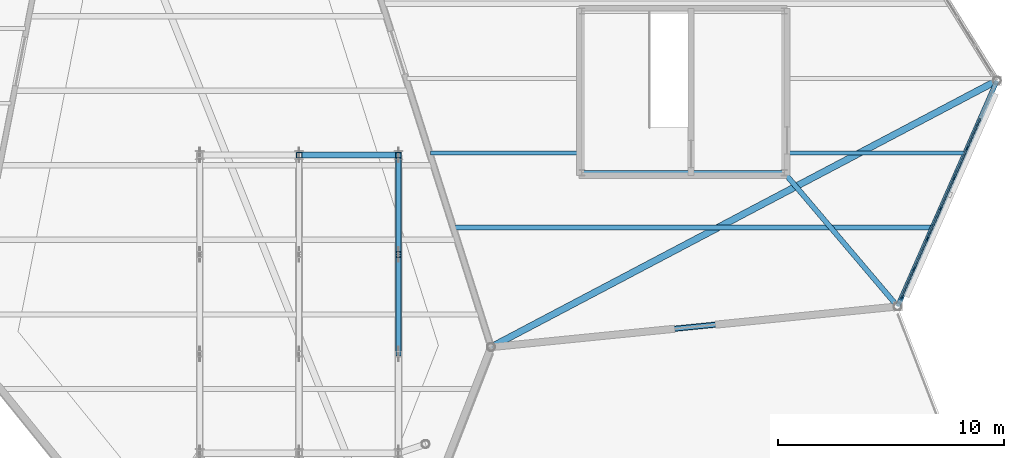
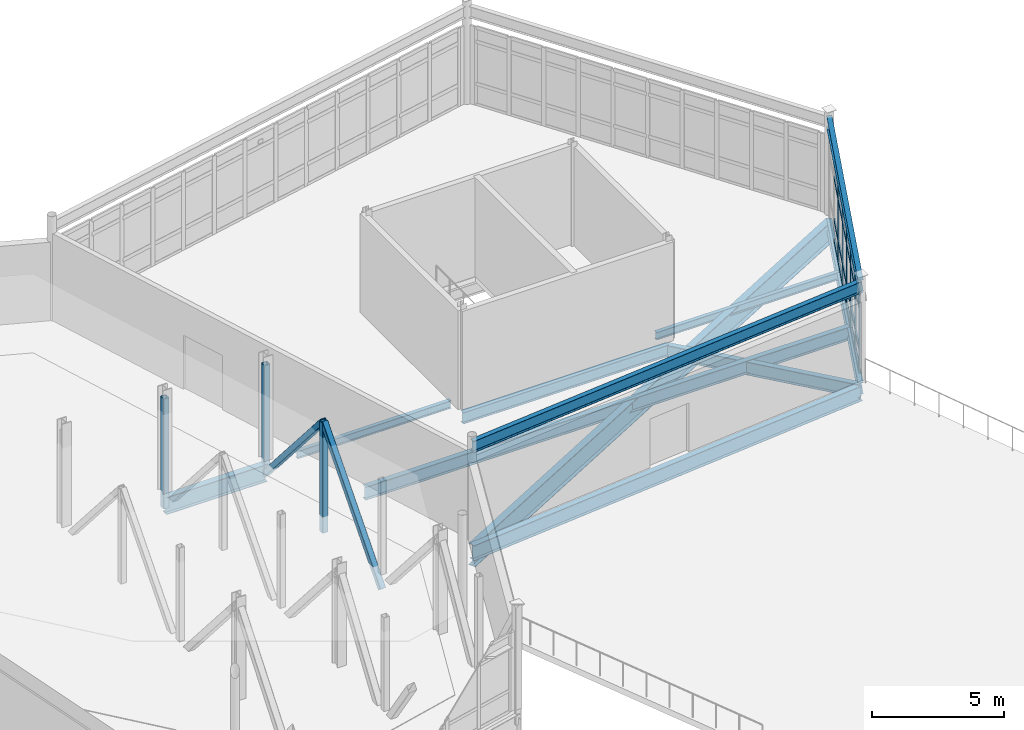
# One storey, part 58 of 114: 35 members, 11 beams, 1 element without a shape of its own.
"""IFC4 building model written with IfcOpenShell, lengths in metres."""

from ifc_helpers import new_model, si_unit, direction, frame, origin, origin_2d, place, context, subcontext, project, spatial, rectangle, hollow_rectangle, i_section, extrude, material, material_profile, profile_set, type_object, element, aggregate, save


model = new_model("IFC4")

# Units and contexts
model_context = context("Model", 3, precision=1e-05, world=origin(), true_north=direction((0.0, 1.0)))
body_context = subcontext(model_context, "Body", "Model", "MODEL_VIEW")
ifc_project = project(units=[si_unit("LENGTHUNIT", "METRE"), si_unit("AREAUNIT", "SQUARE_METRE"), si_unit("VOLUMEUNIT", "CUBIC_METRE"), si_unit("PLANEANGLEUNIT", "RADIAN"), si_unit("MASSUNIT", "GRAM", prefix="KILO")], contexts=[model_context])

# Site, building, storey
site_placement = place(None, origin())
site = spatial("IfcSite", under=ifc_project, at=site_placement, CompositionType="ELEMENT")
building_placement = place(site_placement, origin())
building = spatial("IfcBuilding", under=site, at=building_placement, Name="Tameran Prism Museum", CompositionType="ELEMENT")
storey_placement = place(building_placement, frame((0.0, 0.0, 10.199951171875)))
storey = spatial("IfcBuildingStorey", under=building, at=storey_placement, Name="L02", CompositionType="ELEMENT", Elevation=10.199951171875)

# Beams
ifc_material_1 = material(Name="Steel Grade 300PLUS (300 MPa)", Category="steel")
ifc_material_profile_1 = material_profile(ifc_material_1, i_section(OverallWidth=0.1708984375, OverallDepth=0.35595703125, WebThickness=0.00732421875, FlangeThickness=0.011474609375, FilletRadius=0.011474609375, at=origin_2d()))
ifc_profile_set_1 = profile_set([ifc_material_profile_1])
beam_type_1 = type_object("IfcBeamType", Name="BM-J360B", PredefinedType="JOIST", material=ifc_profile_set_1)
beam_1_placement = place(storey_placement, frame((141.31494140625, 30.800048828125, -0.39794921875), z_axis=(1.0, 0.0, 0.0), x_axis=(0.0, 1.0, 0.0)))
element("IfcBeam", 1, at=beam_1_placement, inside=storey, type_object=beam_type_1, Name="Floor Beam BM-0934", PredefinedType="JOIST", context=body_context, shape_type="SweptSolid", body=[
    extrude(i_section(OverallWidth=0.1708984375, OverallDepth=0.35595703125, WebThickness=0.00732421875, FlangeThickness=0.011474609375, FilletRadius=0.011474609375, at=origin_2d()), origin(), (0.0, 0.0, 1.0), 6.705078125),
])
beam_2_placement = place(storey_placement, frame((156.97998046875, 30.800048828125, -0.39794921875), z_axis=(1.0, 0.0, 0.0), x_axis=(0.0, 1.0, 0.0)))
element("IfcBeam", 2, at=beam_2_placement, inside=storey, type_object=beam_type_1, Name="Floor Beam BM-0935", PredefinedType="JOIST", context=body_context, shape_type="SweptSolid", body=[
    extrude(i_section(OverallWidth=0.1708984375, OverallDepth=0.35595703125, WebThickness=0.00732421875, FlangeThickness=0.011474609375, FilletRadius=0.011474609375, at=origin_2d()), origin(), (0.0, 0.0, 1.0), 7.968017578125),
])
ifc_material_2 = material(Name="Steel Grade 300PLUS (300 MPa)", Category="steel")
ifc_material_profile_2 = material_profile(ifc_material_2, i_section(OverallWidth=0.208984375, OverallDepth=0.532958984375, WebThickness=0.01025390625, FlangeThickness=0.015625, FilletRadius=0.013916015625, at=origin_2d()))
ifc_profile_set_2 = profile_set([ifc_material_profile_2])
beam_type_2 = type_object("IfcBeamType", Name="BM-SP530A", PredefinedType="SPANDREL", material=ifc_profile_set_2)
beam_3_placement = place(storey_placement, frame((162.0, 24.0, -0.486572265625), z_axis=(0.402731125433, 0.915318327473, 0.0), x_axis=(-0.915318327473, 0.402731125433, 0.0)))
element("IfcBeam", 3, at=beam_3_placement, inside=storey, type_object=beam_type_2, Name="Perimeter Spandrel SP-0749", PredefinedType="SPANDREL", context=body_context, shape_type="SweptSolid", body=[
    extrude(i_section(OverallWidth=0.208984375, OverallDepth=0.532958984375, WebThickness=0.01025390625, FlangeThickness=0.015625, FilletRadius=0.013916015625, at=origin_2d()), origin(), (0.0, 0.0, 1.0), 10.925048828125),
])
ifc_material_3 = material(Name="Steel Grade 300PLUS (300 MPa)", Category="steel")
ifc_material_profile_3 = material_profile(ifc_material_3, i_section(OverallWidth=0.208984375, OverallDepth=0.528076171875, WebThickness=0.009521484375, FlangeThickness=0.01318359375, FilletRadius=0.013916015625, at=origin_2d()))
ifc_profile_set_3 = profile_set([ifc_material_profile_3])
beam_type_3 = type_object("IfcBeamType", Name="BM-SP530B", PredefinedType="SPANDREL", material=ifc_profile_set_3)
beam_4_placement = place(storey_placement, frame((144.0, 22.199951171875, 4.256103515625), z_axis=(0.995036922958, 0.099506391506, 0.0), x_axis=(-0.099506391506, 0.995036922958, 0.0)))
element("IfcBeam", 4, at=beam_4_placement, inside=storey, type_object=beam_type_3, Name="Roof Ring Beam RB-0752", PredefinedType="SPANDREL", context=body_context, shape_type="SweptSolid", body=[
    extrude(i_section(OverallWidth=0.208984375, OverallDepth=0.528076171875, WebThickness=0.009521484375, FlangeThickness=0.01318359375, FilletRadius=0.013916015625, at=origin_2d()), origin(), (0.0, 0.0, 1.0), 18.08984375),
])
beam_5_placement = place(storey_placement, frame((162.0, 24.0, 4.256103515625), z_axis=(0.402731125433, 0.915318327473, 0.0), x_axis=(-0.915318327473, 0.402731125433, 0.0)))
element("IfcBeam", 5, at=beam_5_placement, inside=storey, type_object=beam_type_3, Name="Roof Ring Beam RB-0753", PredefinedType="SPANDREL", context=body_context, shape_type="SweptSolid", body=[
    extrude(i_section(OverallWidth=0.208984375, OverallDepth=0.528076171875, WebThickness=0.009521484375, FlangeThickness=0.01318359375, FilletRadius=0.013916015625, at=origin_2d()), origin(), (0.0, 0.0, 1.0), 10.925048828125),
])
beam_6_placement = place(storey_placement, frame((148.02001953125, 29.919921875, -0.50390625), z_axis=(1.0, 0.0, 0.0), x_axis=(0.0, 1.0, 0.0)))
element("IfcBeam", 6, at=beam_6_placement, inside=storey, type_object=beam_type_3, Name="Core Ring Beam CTB-0797", PredefinedType="SPANDREL", context=body_context, shape_type="SweptSolid", body=[
    extrude(i_section(OverallWidth=0.208984375, OverallDepth=0.528076171875, WebThickness=0.009521484375, FlangeThickness=0.01318359375, FilletRadius=0.013916015625, at=origin_2d()), origin(), (0.0, 0.0, 1.0), 8.9599609375),
])
ifc_material_4 = material(Name="Steel Grade 350 (350 MPa)", Category="steel")
ifc_material_profile_4 = material_profile(ifc_material_4, i_section(OverallWidth=0.25, OverallDepth=0.699951171875, WebThickness=0.010009765625, FlangeThickness=0.02001953125, at=origin_2d()))
ifc_profile_set_4 = profile_set([ifc_material_profile_4])
beam_type_4 = type_object("IfcBeamType", Name="BM-SP700", PredefinedType="SPANDREL", material=ifc_profile_set_4)
beam_7_placement = place(storey_placement, frame((144.0, 22.199951171875, -0.6298828125), z_axis=(0.995036922958, 0.099506391506, 0.0), x_axis=(-0.099506391506, 0.995036922958, 0.0)))
element("IfcBeam", 7, at=beam_7_placement, inside=storey, type_object=beam_type_4, Name="Perimeter Spandrel SP-0748", PredefinedType="SPANDREL", context=body_context, shape_type="SweptSolid", body=[
    extrude(i_section(OverallWidth=0.25, OverallDepth=0.699951171875, WebThickness=0.010009765625, FlangeThickness=0.02001953125, at=origin_2d()), origin(), (0.0, 0.0, 1.0), 18.08984375),
])
ifc_material_5 = material(Name="Steel Grade 300PLUS (300 MPa)", Category="steel")
ifc_material_profile_5 = material_profile(ifc_material_5, i_section(OverallWidth=0.22900390625, OverallDepth=0.612060546875, WebThickness=0.011962890625, FlangeThickness=0.01953125, FilletRadius=0.013916015625, at=origin_2d()))
ifc_profile_set_5 = profile_set([ifc_material_profile_5])
beam_type_5 = type_object("IfcBeamType", Name="BM-UB610A", PredefinedType="BEAM", material=ifc_profile_set_5)
beam_8_placement = place(storey_placement, frame((156.97998046875, 29.919921875, -0.56005859375), z_axis=(0.64675685698, -0.762696248811, 0.0), x_axis=(0.762696248811, 0.64675685698, 0.0)))
element("IfcBeam", 8, at=beam_8_placement, inside=storey, type_object=beam_type_5, Name="Frame Tie Girder FG-1435", PredefinedType="BEAM", context=body_context, shape_type="SweptSolid", body=[
    extrude(i_section(OverallWidth=0.22900390625, OverallDepth=0.612060546875, WebThickness=0.011962890625, FlangeThickness=0.01953125, FilletRadius=0.013916015625, at=origin_2d()), origin(), (0.0, 0.0, 1.0), 7.76171875),
])
ifc_material_6 = material(Name="Steel Grade 300PLUS (300 MPa)", Category="steel")
ifc_material_profile_6 = material_profile(ifc_material_6, i_section(OverallWidth=0.22802734375, OverallDepth=0.60693359375, WebThickness=0.01123046875, FlangeThickness=0.017333984375, FilletRadius=0.013916015625, at=origin_2d()))
ifc_profile_set_6 = profile_set([ifc_material_profile_6])
beam_type_6 = type_object("IfcBeamType", Name="BM-UB610B", PredefinedType="BEAM", material=ifc_profile_set_6)
beam_9_placement = place(storey_placement, frame((142.361083984375, 27.5, -0.5234375), z_axis=(1.0, 0.0, 0.0), x_axis=(0.0, 1.0, 0.0)))
element("IfcBeam", 9, at=beam_9_placement, inside=storey, type_object=beam_type_6, Name="Floor Beam BM-0933", PredefinedType="BEAM", context=body_context, shape_type="SweptSolid", body=[
    extrude(i_section(OverallWidth=0.22802734375, OverallDepth=0.60693359375, WebThickness=0.01123046875, FlangeThickness=0.017333984375, FilletRadius=0.013916015625, at=origin_2d()), origin(), (0.0, 0.0, 1.0), 21.135009765625),
])
ifc_material_7 = material(Name="Steel Grade 350 (350 MPa)", Category="steel")
ifc_material_profile_7 = material_profile(ifc_material_7, i_section(OverallWidth=0.300048828125, OverallDepth=1.0, WebThickness=0.01611328125, FlangeThickness=0.031982421875, at=origin_2d()))
ifc_profile_set_7 = profile_set([ifc_material_profile_7])
beam_type_7 = type_object("IfcBeamType", Name="BM-WB1000", PredefinedType="BEAM", material=ifc_profile_set_7)
beam_10_placement = place(storey_placement, frame((144.0, 22.199951171875, -0.780029296875), z_axis=(0.88474517305, 0.466075078463, 0.0), x_axis=(-0.466075078463, 0.88474517305, 0.0)))
element("IfcBeam", 10, at=beam_10_placement, inside=storey, type_object=beam_type_7, Name="Primary Vertex Girder PG-0756", PredefinedType="BEAM", context=body_context, shape_type="SweptSolid", body=[
    extrude(i_section(OverallWidth=0.300048828125, OverallDepth=1.0, WebThickness=0.01611328125, FlangeThickness=0.031982421875, at=origin_2d()), origin(), (0.0, 0.0, 1.0), 25.31787109375),
])
ifc_material_8 = material(Name="Steel Grade 350 (350 MPa)", Category="steel")
ifc_material_profile_8 = material_profile(ifc_material_8, i_section(OverallWidth=0.27490234375, OverallDepth=0.800048828125, WebThickness=0.011962890625, FlangeThickness=0.02490234375, at=origin_2d()))
ifc_profile_set_8 = profile_set([ifc_material_profile_8])
beam_type_8 = type_object("IfcBeamType", Name="BM-WB800", PredefinedType="BEAM", material=ifc_profile_set_8)
beam_11_placement = place(storey_placement, frame((135.5, 30.699951171875, -0.619873046875), z_axis=(1.0, 0.0, 0.0), x_axis=(0.0, 1.0, 0.0)))
element("IfcBeam", 11, at=beam_11_placement, inside=storey, type_object=beam_type_8, Name="Frame Tie Girder FG-1378", PredefinedType="BEAM", context=body_context, shape_type="SweptSolid", body=[
    extrude(i_section(OverallWidth=0.27490234375, OverallDepth=0.800048828125, WebThickness=0.011962890625, FlangeThickness=0.02490234375, at=origin_2d()), origin(), (0.0, 0.0, 1.0), 4.39990234375),
])

# Curtain wall, members
ifc_material_9 = material(Name="Anodised Aluminium 6063-T6 and Cyclone Solar Glass", Category="aluminium")
curtain_wall_type = type_object("IfcCurtainWallType", Name="CW-FAC-1022x362", PredefinedType="USERDEFINED", material=ifc_material_9)
curtain_wall_placement = place(storey_placement, origin())
curtain_wall = element("IfcCurtainWall", 12, at=curtain_wall_placement, inside=storey, type_object=curtain_wall_type, Name="Unitised Curtain Wall CW-127", ObjectType="UNITISED CURTAIN WALL", PredefinedType="USERDEFINED")
ifc_material_10 = material(Name="Anodised Aluminium Alloy 6063-T6", Category="aluminium")
ifc_material_profile_9 = material_profile(ifc_material_10, rectangle(XDim=0.06494140625, YDim=0.159912109375, at=origin_2d()))
ifc_profile_set_9 = profile_set([ifc_material_profile_9])
member_type_1 = type_object("IfcMemberType", Name="CW-MUL-A", PredefinedType="MULLION", material=ifc_profile_set_9)
member_1_placement = place(storey_placement, frame((165.08251953125, 31.005615234375, 0.0), z_axis=(0.0, 0.0, 1.0), x_axis=(0.915329451509, -0.402705842024, 0.0)))
member_1 = element("IfcMember", 13, at=member_1_placement, type_object=member_type_1, Name="CW-127 mullion 3", PredefinedType="MULLION", context=body_context, shape_type="SweptSolid", body=[
    extrude(rectangle(XDim=0.06494140625, YDim=0.159912109375, at=origin_2d()), origin(), (0.0, 0.0, 1.0), 3.6201171875),
])
member_2_placement = place(storey_placement, frame((164.494140625, 29.66845703125, 0.0), z_axis=(0.0, 0.0, 1.0), x_axis=(0.915329451509, -0.402705842024, 0.0)))
member_2 = element("IfcMember", 14, at=member_2_placement, type_object=member_type_1, Name="CW-127 mullion 4", PredefinedType="MULLION", context=body_context, shape_type="SweptSolid", body=[
    extrude(rectangle(XDim=0.06494140625, YDim=0.159912109375, at=origin_2d()), origin(), (0.0, 0.0, 1.0), 3.6201171875),
])
member_3_placement = place(storey_placement, frame((163.90576171875, 28.33154296875, 0.0), z_axis=(0.0, 0.0, 1.0), x_axis=(0.915329451509, -0.402705842024, 0.0)))
member_3 = element("IfcMember", 15, at=member_3_placement, type_object=member_type_1, Name="CW-127 mullion 5", PredefinedType="MULLION", context=body_context, shape_type="SweptSolid", body=[
    extrude(rectangle(XDim=0.06494140625, YDim=0.159912109375, at=origin_2d()), origin(), (0.0, 0.0, 1.0), 3.6201171875),
])
member_4_placement = place(storey_placement, frame((163.317626953125, 26.994384765625, 0.0), z_axis=(0.0, 0.0, 1.0), x_axis=(0.915329451509, -0.402705842024, 0.0)))
member_4 = element("IfcMember", 16, at=member_4_placement, type_object=member_type_1, Name="CW-127 mullion 6", PredefinedType="MULLION", context=body_context, shape_type="SweptSolid", body=[
    extrude(rectangle(XDim=0.06494140625, YDim=0.159912109375, at=origin_2d()), origin(), (0.0, 0.0, 1.0), 3.6201171875),
])
member_5_placement = place(storey_placement, frame((162.729248046875, 25.6572265625, 0.0), z_axis=(0.0, 0.0, 1.0), x_axis=(0.915329451509, -0.402705842024, 0.0)))
member_5 = element("IfcMember", 17, at=member_5_placement, type_object=member_type_1, Name="CW-127 mullion 7", PredefinedType="MULLION", context=body_context, shape_type="SweptSolid", body=[
    extrude(rectangle(XDim=0.06494140625, YDim=0.159912109375, at=origin_2d()), origin(), (0.0, 0.0, 1.0), 3.6201171875),
])
member_6_placement = place(storey_placement, frame((162.154052734375, 24.349853515625, 0.0), z_axis=(0.0, 0.0, 1.0), x_axis=(0.915329451509, -0.402705842024, 0.0)))
member_6 = element("IfcMember", 18, at=member_6_placement, type_object=member_type_1, Name="CW-127 mullion 8", PredefinedType="MULLION", context=body_context, shape_type="SweptSolid", body=[
    extrude(rectangle(XDim=0.06494140625, YDim=0.159912109375, at=origin_2d()), origin(), (0.0, 0.0, 1.0), 3.6201171875),
])
ifc_material_11 = material(Name="Anodised Aluminium Alloy 6063-T6", Category="aluminium")
ifc_material_profile_10 = material_profile(ifc_material_11, rectangle(XDim=0.06494140625, YDim=0.139892578125, at=origin_2d()))
ifc_profile_set_10 = profile_set([ifc_material_profile_10])
member_type_2 = type_object("IfcMemberType", Name="CW-TRN-A", PredefinedType="USERDEFINED", material=ifc_profile_set_10)
member_7_placement = place(storey_placement, frame((165.65771484375, 32.31298828125, 0.032470703125), z_axis=(-0.402808950686, -0.915284081172, 0.0), x_axis=(0.915284081172, -0.402808950686, 0.0)))
member_7 = element("IfcMember", 19, at=member_7_placement, type_object=member_type_2, Name="CW-127 transom 2.1", ObjectType="TRANSOM", PredefinedType="USERDEFINED", context=body_context, shape_type="SweptSolid", body=[
    extrude(rectangle(XDim=0.06494140625, YDim=0.139892578125, at=origin_2d()), origin(), (0.0, 0.0, 1.0), 1.395751953125),
])
member_8_placement = place(storey_placement, frame((165.65771484375, 32.31298828125, 1.0), z_axis=(-0.402808950686, -0.915284081172, 0.0), x_axis=(0.915284081172, -0.402808950686, 0.0)))
member_8 = element("IfcMember", 20, at=member_8_placement, type_object=member_type_2, Name="CW-127 transom 2.2", ObjectType="TRANSOM", PredefinedType="USERDEFINED", context=body_context, shape_type="SweptSolid", body=[
    extrude(rectangle(XDim=0.06494140625, YDim=0.139892578125, at=origin_2d()), origin(), (0.0, 0.0, 1.0), 1.395751953125),
])
member_9_placement = place(storey_placement, frame((165.65771484375, 32.31298828125, 2.93994140625), z_axis=(-0.402808950686, -0.915284081172, 0.0), x_axis=(0.915284081172, -0.402808950686, 0.0)))
member_9 = element("IfcMember", 21, at=member_9_placement, type_object=member_type_2, Name="CW-127 transom 2.3", ObjectType="TRANSOM", PredefinedType="USERDEFINED", context=body_context, shape_type="SweptSolid", body=[
    extrude(rectangle(XDim=0.06494140625, YDim=0.139892578125, at=origin_2d()), origin(), (0.0, 0.0, 1.0), 1.395751953125),
])
member_10_placement = place(storey_placement, frame((165.65771484375, 32.31298828125, 3.587646484375), z_axis=(-0.402808950686, -0.915284081172, 0.0), x_axis=(0.915284081172, -0.402808950686, 0.0)))
member_10 = element("IfcMember", 22, at=member_10_placement, type_object=member_type_2, Name="CW-127 transom 2.4", ObjectType="TRANSOM", PredefinedType="USERDEFINED", context=body_context, shape_type="SweptSolid", body=[
    extrude(rectangle(XDim=0.06494140625, YDim=0.139892578125, at=origin_2d()), origin(), (0.0, 0.0, 1.0), 1.395751953125),
])
member_11_placement = place(storey_placement, frame((165.0693359375, 30.97607421875, 0.032470703125), z_axis=(-0.402597946904, -0.915376913161, 0.0), x_axis=(0.915376913161, -0.402597946904, 0.0)))
member_11 = element("IfcMember", 23, at=member_11_placement, type_object=member_type_2, Name="CW-127 transom 3.1", ObjectType="TRANSOM", PredefinedType="USERDEFINED", context=body_context, shape_type="SweptSolid", body=[
    extrude(rectangle(XDim=0.06494140625, YDim=0.139892578125, at=origin_2d()), origin(), (0.0, 0.0, 1.0), 1.39599609375),
])
member_12_placement = place(storey_placement, frame((165.0693359375, 30.97607421875, 1.0), z_axis=(-0.402597946904, -0.915376913161, 0.0), x_axis=(0.915376913161, -0.402597946904, 0.0)))
member_12 = element("IfcMember", 24, at=member_12_placement, type_object=member_type_2, Name="CW-127 transom 3.2", ObjectType="TRANSOM", PredefinedType="USERDEFINED", context=body_context, shape_type="SweptSolid", body=[
    extrude(rectangle(XDim=0.06494140625, YDim=0.139892578125, at=origin_2d()), origin(), (0.0, 0.0, 1.0), 1.39599609375),
])
member_13_placement = place(storey_placement, frame((165.0693359375, 30.97607421875, 2.93994140625), z_axis=(-0.402597946904, -0.915376913161, 0.0), x_axis=(0.915376913161, -0.402597946904, 0.0)))
member_13 = element("IfcMember", 25, at=member_13_placement, type_object=member_type_2, Name="CW-127 transom 3.3", ObjectType="TRANSOM", PredefinedType="USERDEFINED", context=body_context, shape_type="SweptSolid", body=[
    extrude(rectangle(XDim=0.06494140625, YDim=0.139892578125, at=origin_2d()), origin(), (0.0, 0.0, 1.0), 1.39599609375),
])
member_14_placement = place(storey_placement, frame((165.0693359375, 30.97607421875, 3.587646484375), z_axis=(-0.402597946904, -0.915376913161, 0.0), x_axis=(0.915376913161, -0.402597946904, 0.0)))
member_14 = element("IfcMember", 26, at=member_14_placement, type_object=member_type_2, Name="CW-127 transom 3.4", ObjectType="TRANSOM", PredefinedType="USERDEFINED", context=body_context, shape_type="SweptSolid", body=[
    extrude(rectangle(XDim=0.06494140625, YDim=0.139892578125, at=origin_2d()), origin(), (0.0, 0.0, 1.0), 1.39599609375),
])
member_15_placement = place(storey_placement, frame((164.48095703125, 29.638916015625, 0.032470703125), z_axis=(-0.402597946904, -0.915376913161, 0.0), x_axis=(0.915376913161, -0.402597946904, 0.0)))
member_15 = element("IfcMember", 27, at=member_15_placement, type_object=member_type_2, Name="CW-127 transom 4.1", ObjectType="TRANSOM", PredefinedType="USERDEFINED", context=body_context, shape_type="SweptSolid", body=[
    extrude(rectangle(XDim=0.06494140625, YDim=0.139892578125, at=origin_2d()), origin(), (0.0, 0.0, 1.0), 1.39599609375),
])
member_16_placement = place(storey_placement, frame((164.48095703125, 29.638916015625, 1.0), z_axis=(-0.402597946904, -0.915376913161, 0.0), x_axis=(0.915376913161, -0.402597946904, 0.0)))
member_16 = element("IfcMember", 28, at=member_16_placement, type_object=member_type_2, Name="CW-127 transom 4.2", ObjectType="TRANSOM", PredefinedType="USERDEFINED", context=body_context, shape_type="SweptSolid", body=[
    extrude(rectangle(XDim=0.06494140625, YDim=0.139892578125, at=origin_2d()), origin(), (0.0, 0.0, 1.0), 1.39599609375),
])
member_17_placement = place(storey_placement, frame((164.48095703125, 29.638916015625, 2.93994140625), z_axis=(-0.402597946904, -0.915376913161, 0.0), x_axis=(0.915376913161, -0.402597946904, 0.0)))
member_17 = element("IfcMember", 29, at=member_17_placement, type_object=member_type_2, Name="CW-127 transom 4.3", ObjectType="TRANSOM", PredefinedType="USERDEFINED", context=body_context, shape_type="SweptSolid", body=[
    extrude(rectangle(XDim=0.06494140625, YDim=0.139892578125, at=origin_2d()), origin(), (0.0, 0.0, 1.0), 1.39599609375),
])
member_18_placement = place(storey_placement, frame((164.48095703125, 29.638916015625, 3.587646484375), z_axis=(-0.402597946904, -0.915376913161, 0.0), x_axis=(0.915376913161, -0.402597946904, 0.0)))
member_18 = element("IfcMember", 30, at=member_18_placement, type_object=member_type_2, Name="CW-127 transom 4.4", ObjectType="TRANSOM", PredefinedType="USERDEFINED", context=body_context, shape_type="SweptSolid", body=[
    extrude(rectangle(XDim=0.06494140625, YDim=0.139892578125, at=origin_2d()), origin(), (0.0, 0.0, 1.0), 1.39599609375),
])
member_19_placement = place(storey_placement, frame((163.892822265625, 28.3017578125, 0.032470703125), z_axis=(-0.402744474787, -0.915312453771, 0.0), x_axis=(0.915312453771, -0.402744474787, 0.0)))
member_19 = element("IfcMember", 31, at=member_19_placement, type_object=member_type_2, Name="CW-127 transom 5.1", ObjectType="TRANSOM", PredefinedType="USERDEFINED", context=body_context, shape_type="SweptSolid", body=[
    extrude(rectangle(XDim=0.06494140625, YDim=0.139892578125, at=origin_2d()), origin(), (0.0, 0.0, 1.0), 1.39599609375),
])
member_20_placement = place(storey_placement, frame((163.892822265625, 28.3017578125, 1.0), z_axis=(-0.402744474787, -0.915312453771, 0.0), x_axis=(0.915312453771, -0.402744474787, 0.0)))
member_20 = element("IfcMember", 32, at=member_20_placement, type_object=member_type_2, Name="CW-127 transom 5.2", ObjectType="TRANSOM", PredefinedType="USERDEFINED", context=body_context, shape_type="SweptSolid", body=[
    extrude(rectangle(XDim=0.06494140625, YDim=0.139892578125, at=origin_2d()), origin(), (0.0, 0.0, 1.0), 1.39599609375),
])
member_21_placement = place(storey_placement, frame((163.892822265625, 28.3017578125, 2.93994140625), z_axis=(-0.402744474787, -0.915312453771, 0.0), x_axis=(0.915312453771, -0.402744474787, 0.0)))
member_21 = element("IfcMember", 33, at=member_21_placement, type_object=member_type_2, Name="CW-127 transom 5.3", ObjectType="TRANSOM", PredefinedType="USERDEFINED", context=body_context, shape_type="SweptSolid", body=[
    extrude(rectangle(XDim=0.06494140625, YDim=0.139892578125, at=origin_2d()), origin(), (0.0, 0.0, 1.0), 1.39599609375),
])
member_22_placement = place(storey_placement, frame((163.892822265625, 28.3017578125, 3.587646484375), z_axis=(-0.402744474787, -0.915312453771, 0.0), x_axis=(0.915312453771, -0.402744474787, 0.0)))
member_22 = element("IfcMember", 34, at=member_22_placement, type_object=member_type_2, Name="CW-127 transom 5.4", ObjectType="TRANSOM", PredefinedType="USERDEFINED", context=body_context, shape_type="SweptSolid", body=[
    extrude(rectangle(XDim=0.06494140625, YDim=0.139892578125, at=origin_2d()), origin(), (0.0, 0.0, 1.0), 1.39599609375),
])
member_23_placement = place(storey_placement, frame((163.304443359375, 26.964599609375, 0.032470703125), z_axis=(-0.402662408426, -0.915348559206, 0.0), x_axis=(0.915348559206, -0.402662408426, 0.0)))
member_23 = element("IfcMember", 35, at=member_23_placement, type_object=member_type_2, Name="CW-127 transom 6.1", ObjectType="TRANSOM", PredefinedType="USERDEFINED", context=body_context, shape_type="SweptSolid", body=[
    extrude(rectangle(XDim=0.06494140625, YDim=0.139892578125, at=origin_2d()), origin(), (0.0, 0.0, 1.0), 1.395751953125),
])
member_24_placement = place(storey_placement, frame((163.304443359375, 26.964599609375, 1.0), z_axis=(-0.402662408426, -0.915348559206, 0.0), x_axis=(0.915348559206, -0.402662408426, 0.0)))
member_24 = element("IfcMember", 36, at=member_24_placement, type_object=member_type_2, Name="CW-127 transom 6.2", ObjectType="TRANSOM", PredefinedType="USERDEFINED", context=body_context, shape_type="SweptSolid", body=[
    extrude(rectangle(XDim=0.06494140625, YDim=0.139892578125, at=origin_2d()), origin(), (0.0, 0.0, 1.0), 1.395751953125),
])
member_25_placement = place(storey_placement, frame((163.304443359375, 26.964599609375, 2.93994140625), z_axis=(-0.402662408426, -0.915348559206, 0.0), x_axis=(0.915348559206, -0.402662408426, 0.0)))
member_25 = element("IfcMember", 37, at=member_25_placement, type_object=member_type_2, Name="CW-127 transom 6.3", ObjectType="TRANSOM", PredefinedType="USERDEFINED", context=body_context, shape_type="SweptSolid", body=[
    extrude(rectangle(XDim=0.06494140625, YDim=0.139892578125, at=origin_2d()), origin(), (0.0, 0.0, 1.0), 1.395751953125),
])
member_26_placement = place(storey_placement, frame((163.304443359375, 26.964599609375, 3.587646484375), z_axis=(-0.402662408426, -0.915348559206, 0.0), x_axis=(0.915348559206, -0.402662408426, 0.0)))
member_26 = element("IfcMember", 38, at=member_26_placement, type_object=member_type_2, Name="CW-127 transom 6.4", ObjectType="TRANSOM", PredefinedType="USERDEFINED", context=body_context, shape_type="SweptSolid", body=[
    extrude(rectangle(XDim=0.06494140625, YDim=0.139892578125, at=origin_2d()), origin(), (0.0, 0.0, 1.0), 1.395751953125),
])
member_27_placement = place(storey_placement, frame((162.71630859375, 25.62744140625, 0.032470703125), z_axis=(-0.402696610123, -0.915333513095, 0.0), x_axis=(0.915333513095, -0.402696610123, 0.0)))
member_27 = element("IfcMember", 39, at=member_27_placement, type_object=member_type_2, Name="CW-127 transom 7.1", ObjectType="TRANSOM", PredefinedType="USERDEFINED", context=body_context, shape_type="SweptSolid", body=[
    extrude(rectangle(XDim=0.06494140625, YDim=0.139892578125, at=origin_2d()), origin(), (0.0, 0.0, 1.0), 1.363525390625),
])
member_28_placement = place(storey_placement, frame((162.71630859375, 25.62744140625, 1.0), z_axis=(-0.402696610123, -0.915333513095, 0.0), x_axis=(0.915333513095, -0.402696610123, 0.0)))
member_28 = element("IfcMember", 40, at=member_28_placement, type_object=member_type_2, Name="CW-127 transom 7.2", ObjectType="TRANSOM", PredefinedType="USERDEFINED", context=body_context, shape_type="SweptSolid", body=[
    extrude(rectangle(XDim=0.06494140625, YDim=0.139892578125, at=origin_2d()), origin(), (0.0, 0.0, 1.0), 1.363525390625),
])
member_29_placement = place(storey_placement, frame((162.71630859375, 25.62744140625, 2.93994140625), z_axis=(-0.402696610123, -0.915333513095, 0.0), x_axis=(0.915333513095, -0.402696610123, 0.0)))
member_29 = element("IfcMember", 41, at=member_29_placement, type_object=member_type_2, Name="CW-127 transom 7.3", ObjectType="TRANSOM", PredefinedType="USERDEFINED", context=body_context, shape_type="SweptSolid", body=[
    extrude(rectangle(XDim=0.06494140625, YDim=0.139892578125, at=origin_2d()), origin(), (0.0, 0.0, 1.0), 1.363525390625),
])
member_30_placement = place(storey_placement, frame((162.71630859375, 25.62744140625, 3.587646484375), z_axis=(-0.402696610123, -0.915333513095, 0.0), x_axis=(0.915333513095, -0.402696610123, 0.0)))
member_30 = element("IfcMember", 42, at=member_30_placement, type_object=member_type_2, Name="CW-127 transom 7.4", ObjectType="TRANSOM", PredefinedType="USERDEFINED", context=body_context, shape_type="SweptSolid", body=[
    extrude(rectangle(XDim=0.06494140625, YDim=0.139892578125, at=origin_2d()), origin(), (0.0, 0.0, 1.0), 1.363525390625),
])
aggregate(curtain_wall, [member_1, member_2, member_3, member_4, member_5, member_6, member_7, member_8, member_9, member_10, member_11, member_12, member_13, member_14, member_15, member_16, member_17, member_18, member_19, member_20, member_21, member_22, member_23, member_24, member_25, member_26, member_27, member_28, member_29, member_30])

# Members
ifc_material_12 = material(Name="Steel Grade C450L0 (450 MPa)", Category="steel")
ifc_material_profile_11 = material_profile(ifc_material_12, hollow_rectangle(XDim=0.25, YDim=0.25, WallThickness=0.010009765625, InnerFilletRadius=0.014892578125, OuterFilletRadius=0.02490234375, at=origin_2d()))
ifc_profile_set_11 = profile_set([ifc_material_profile_11])
member_type_3 = type_object("IfcMemberType", Name="MM-BR-SHS250", PredefinedType="BRACE", material=ifc_profile_set_11)
member_31_placement = place(storey_placement, frame((135.5, 30.699951171875, -0.719970703125), z_axis=(0.0, 0.0, 1.0), x_axis=(1.0, 0.0, 0.0)))
element("IfcMember", 43, at=member_31_placement, inside=storey, type_object=member_type_3, Name="Transfer Truss Post TTV-019", PredefinedType="BRACE", context=body_context, shape_type="SweptSolid", body=[
    extrude(hollow_rectangle(XDim=0.25, YDim=0.25, WallThickness=0.010009765625, InnerFilletRadius=0.014892578125, OuterFilletRadius=0.02490234375, at=origin_2d()), origin(), (0.0, 0.0, 1.0), 5.070068359375),
])
for number, where, z_axis, x_axis, name in (
    (44, (139.89990234375, 30.699951171875, -0.719970703125), (0.0, -0.655427459392, 0.755258131684), (1.0, 0.0, 0.0), "Transfer Truss Web TTW-026"),
    (45, (139.89990234375, 26.300048828125, 4.35009765625), (0.0, -0.655448203604, -0.75524012896), (1.0, 0.0, 0.0), "Transfer Truss Web TTW-027"),
):
    element("IfcMember", number, at=place(storey_placement, frame(where, z_axis=z_axis, x_axis=x_axis)), inside=storey, type_object=member_type_3, Name=name, PredefinedType="BRACE", context=body_context, shape_type="SweptSolid", body=[
        extrude(hollow_rectangle(XDim=0.25, YDim=0.25, WallThickness=0.010009765625, InnerFilletRadius=0.014892578125, OuterFilletRadius=0.02490234375, at=origin_2d()), origin(), (0.0, 0.0, 1.0), 6.713134765625),
    ])
for number, where, z_axis, x_axis, name in (
    (46, (139.89990234375, 30.699951171875, -0.719970703125), (0.0, 0.0, 1.0), (1.0, 0.0, 0.0), "Transfer Truss Post TTV-031"),
    (47, (139.89990234375, 26.300048828125, -0.719970703125), (0.0, 0.0, 1.0), (1.0, 0.0, 0.0), "Transfer Truss Post TTV-032"),
):
    element("IfcMember", number, at=place(storey_placement, frame(where, z_axis=z_axis, x_axis=x_axis)), inside=storey, type_object=member_type_3, Name=name, PredefinedType="BRACE", context=body_context, shape_type="SweptSolid", body=[
        extrude(hollow_rectangle(XDim=0.25, YDim=0.25, WallThickness=0.010009765625, InnerFilletRadius=0.014892578125, OuterFilletRadius=0.02490234375, at=origin_2d()), origin(), (0.0, 0.0, 1.0), 5.070068359375),
    ])

save(model, "model.ifc")
